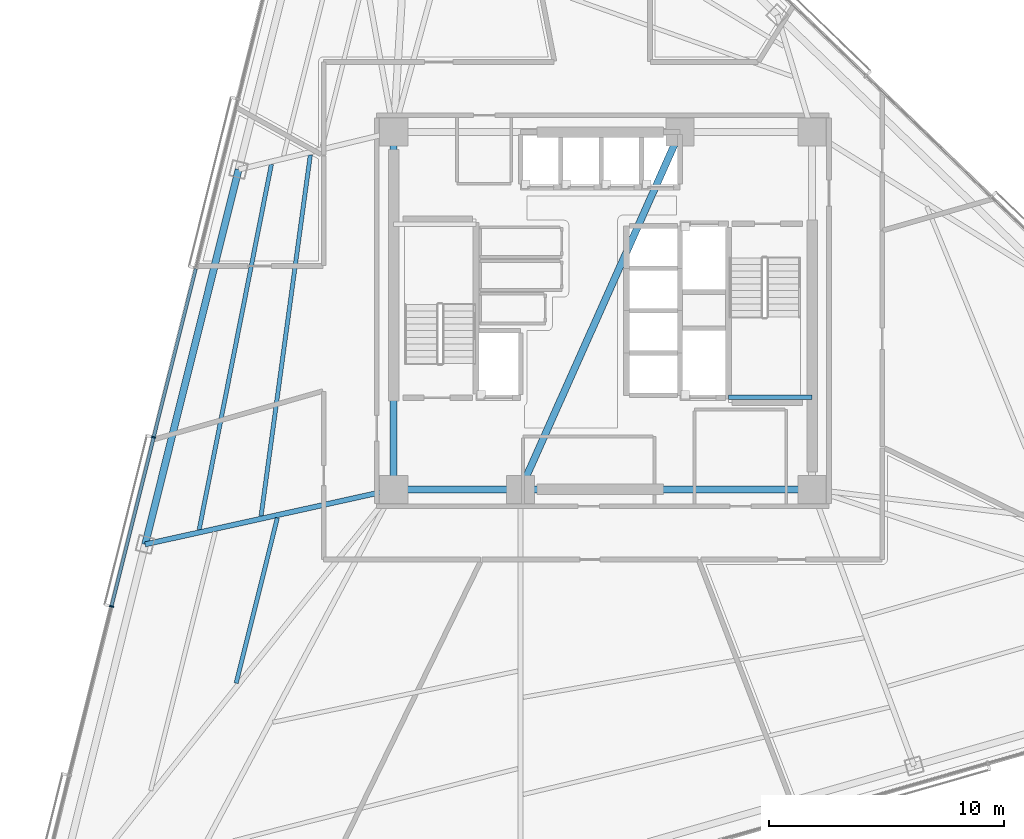
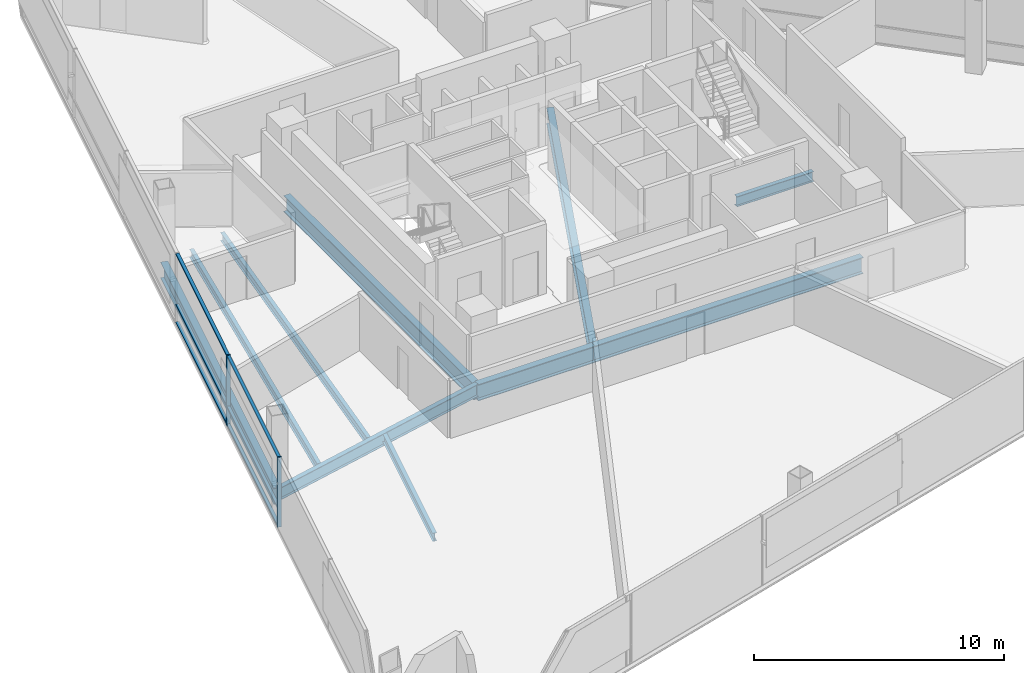
# One storey, part 4 of 17: 10 beams, 8 members, 1 element without a shape of its own.
"""IFC4 building model written with IfcOpenShell, lengths in metres."""

import ifcopenshell
import ifcopenshell.guid

model = None  # the IFC model being written
_history = None  # IfcOwnerHistory: only IFC2X3 demands one
_inside = {}  # id of a spatial element -> (the spatial element, [elements in it])
_under = {}  # id of a project, library or spatial element -> (it, [spatial elements below it])
_declared = {}  # id of a project -> (the project, [libraries it declares])
_typed = {}  # id of a type object -> (the type object, [elements of that type])
_made_of = {}  # id of a material, layer set ... -> (it, [elements and type objects made of it])


def new_model(schema):
    """Start an empty IFC model of exactly this schema.

    Asked for "IFC4X3", IfcOpenShell would pick the latest addendum, in which some entities
    have other attributes; the version numbers below select the first issue.
    IFC2X3 requires an IfcOwnerHistory on every rooted entity: one is made here for all.
    """
    global model, _history
    if schema == "IFC4X3":
        model = ifcopenshell.file(schema_version=(4, 3, 0, 0))
    else:
        model = ifcopenshell.file(schema=schema)
    _inside.clear()
    _under.clear()
    _declared.clear()
    _typed.clear()
    _made_of.clear()
    _history = None
    if model.schema == "IFC2X3":
        org = make("IfcOrganization", Name="unknown")
        user = make(
            "IfcPersonAndOrganization",
            ThePerson=make("IfcPerson", FamilyName="unknown"),
            TheOrganization=org,
        )
        app = make(
            "IfcApplication",
            ApplicationDeveloper=org,
            Version="unknown",
            ApplicationFullName="unknown",
            ApplicationIdentifier="unknown",
        )
        _history = make(
            "IfcOwnerHistory",
            OwningUser=user,
            OwningApplication=app,
            ChangeAction="ADDED",
            CreationDate=0,
        )
    return model


def make(cls, **values):
    """One entity of the class cls with the attributes given. An attribute that is None is left unset."""
    return model.create_entity(
        cls, **{name: value for name, value in values.items() if value is not None}
    )


def rooted(cls, **values):
    """An entity with a GlobalId (a new one), such as an element, a storey or a relation."""
    return make(cls, GlobalId=ifcopenshell.guid.new(), OwnerHistory=_history, **values)


def si_unit(unit_type, name, prefix=None):
    """IfcSIUnit, for example si_unit("LENGTHUNIT", "METRE", prefix="MILLI")."""
    return make("IfcSIUnit", UnitType=unit_type, Prefix=prefix, Name=name)


def assignment(units):
    """IfcUnitAssignment: the units of a project."""
    return None if units is None else make("IfcUnitAssignment", Units=units)


def point(xyz):
    """IfcCartesianPoint."""
    return None if xyz is None else make("IfcCartesianPoint", Coordinates=xyz)


def direction(xyz):
    """IfcDirection."""
    return None if xyz is None else make("IfcDirection", DirectionRatios=xyz)


def frame(location, z_axis=None, x_axis=None):
    """IfcAxis2Placement3D, a coordinate frame: its origin and axes. An axis left out is left unset."""
    return make(
        "IfcAxis2Placement3D",
        Location=point(location),
        Axis=direction(z_axis),
        RefDirection=direction(x_axis),
    )


def frame_2d(location, x_axis=None):
    """IfcAxis2Placement2D, a coordinate frame in the plane: its origin and x axis."""
    return make(
        "IfcAxis2Placement2D", Location=point(location), RefDirection=direction(x_axis)
    )


def origin():
    """The frame at (0, 0, 0) with its axes left unset."""
    return frame((0.0, 0.0, 0.0))


def origin_2d():
    """The frame at (0, 0) in the plane with its x axis left unset."""
    return frame_2d((0.0, 0.0))


def place(relative_to, where):
    """IfcLocalPlacement: puts the frame where relative to a parent placement (None: the world)."""
    return make(
        "IfcLocalPlacement", PlacementRelTo=relative_to, RelativePlacement=where
    )


def context(
    kind, dimensions, precision=None, world=None, true_north=None, identifier=None
):
    """IfcGeometricRepresentationContext, for example the 3D "Model" context."""
    return make(
        "IfcGeometricRepresentationContext",
        ContextIdentifier=identifier,
        ContextType=kind,
        CoordinateSpaceDimension=dimensions,
        Precision=precision,
        WorldCoordinateSystem=world,
        TrueNorth=true_north,
    )


def subcontext(parent, identifier, kind, view, scale=None):
    """IfcGeometricRepresentationSubContext, for example "Body" below "Model"."""
    return make(
        "IfcGeometricRepresentationSubContext",
        ContextIdentifier=identifier,
        ContextType=kind,
        ParentContext=parent,
        TargetScale=scale,
        TargetView=view,
    )


def project(units=None, contexts=None):
    """IfcProject with its units and contexts."""
    return rooted(
        "IfcProject",
        Name="project",
        RepresentationContexts=contexts,
        UnitsInContext=assignment(units),
    )


def spatial(cls, under=None, at=None, **own):
    """A site, building, storey or space (cls), placed at a placement, below another one or the project."""
    s = rooted(cls, ObjectPlacement=at, **own)
    if under is not None:
        _under.setdefault(under.id(), (under, []))[1].append(s)
    return s


def profile(cls, at=None, kind="AREA", **sizes):
    """A parametric profile (cls). Its sizes go by their IFC names, for example OverallWidth=200.0."""
    return make(cls, ProfileType=kind, Position=at, **sizes)


def rectangle(**sizes):
    """IfcRectangleProfileDef."""
    return profile("IfcRectangleProfileDef", **sizes)


def i_section(**sizes):
    """IfcIShapeProfileDef."""
    return profile("IfcIShapeProfileDef", **sizes)


def extrude(swept, where, along, depth):
    """IfcExtrudedAreaSolid: the profile swept, set in the frame where, extruded along a direction by depth."""
    return make(
        "IfcExtrudedAreaSolid",
        SweptArea=swept,
        Position=where,
        ExtrudedDirection=direction(along),
        Depth=depth,
    )


def shape(context_of_items, identifier, shape_type, items):
    """IfcShapeRepresentation: the items that make up one representation, for example the "Body"."""
    return make(
        "IfcShapeRepresentation",
        ContextOfItems=context_of_items,
        RepresentationIdentifier=identifier,
        RepresentationType=shape_type,
        Items=items,
    )


def material(Name=None, Category=None):
    """IfcMaterial."""
    return make("IfcMaterial", Name=Name, Category=Category)


def layer(
    of_material, thickness, ventilated=None, Name=None, Category=None, Priority=None
):
    """IfcMaterialLayer: one layer of a wall or slab, of a material (None: an air gap)."""
    return make(
        "IfcMaterialLayer",
        Material=of_material,
        LayerThickness=thickness,
        IsVentilated=ventilated,
        Name=Name,
        Category=Category,
        Priority=Priority,
    )


def layer_set(layers, Name=None):
    """IfcMaterialLayerSet."""
    return make("IfcMaterialLayerSet", MaterialLayers=layers, LayerSetName=Name)


def material_profile(
    of_material, cross_section, Name=None, Category=None, Priority=None
):
    """IfcMaterialProfile: a cross section and its material."""
    return make(
        "IfcMaterialProfile",
        Name=Name,
        Material=of_material,
        Profile=cross_section,
        Priority=Priority,
        Category=Category,
    )


def profile_set(profiles, Name=None, composite=None):
    """IfcMaterialProfileSet."""
    return make(
        "IfcMaterialProfileSet",
        Name=Name,
        MaterialProfiles=profiles,
        CompositeProfile=composite,
    )


def made_of(thing, what):
    """Note that an element or type object is made of a material, layer set ...; save() writes the relation."""
    if what is not None:
        _made_of.setdefault(what.id(), (what, []))[1].append(thing)
    return thing


def type_object(cls, material=None, **own):
    """A type object (cls), such as IfcWallType, which elements share."""
    return made_of(rooted(cls, **own), material)


def element(
    cls,
    number,
    at=None,
    inside=None,
    cuts=None,
    type_object=None,
    material=None,
    context=None,
    identifier="Body",
    shape_type=None,
    held_by="IfcProductDefinitionShape",
    body=None,
    shapes=None,
    **own,
):
    """One element of the class cls, such as IfcWall. Its Tag is "e" and its number.

    at: its placement. inside: the storey or other place that contains it. cuts: it is an
    opening in that element (IfcRelVoidsElement). A single representation is given by context,
    identifier, shape_type and body (its items); several are given by shapes. held_by: the class
    of the entity that holds the representations. save() writes the other relations.
    """
    e = rooted(cls, Tag="e%d" % number, ObjectPlacement=at, **own)
    if body is not None:
        shapes = [shape(context, identifier, shape_type, body)]
    if shapes is not None:
        e.Representation = make(held_by, Representations=shapes)
    if inside is not None:
        _inside.setdefault(inside.id(), (inside, []))[1].append(e)
    if cuts is not None:
        rooted(
            "IfcRelVoidsElement", RelatingBuildingElement=cuts, RelatedOpeningElement=e
        )
    if type_object is not None:
        _typed.setdefault(type_object.id(), (type_object, []))[1].append(e)
    return made_of(e, material)


def aggregate(whole, parts):
    """IfcRelAggregates: a whole, such as a stair, and the parts it consists of."""
    return rooted("IfcRelAggregates", RelatingObject=whole, RelatedObjects=parts)


def save(model, path):
    """Write the relations noted so far, then the file.

    IfcRelAggregates (storeys below a building ...), IfcRelContainedInSpatialStructure (elements
    in a storey), IfcRelDefinesByType, IfcRelAssociatesMaterial and IfcRelDeclares: one each for
    every whole, place, type object, material and project.
    """
    for whole, parts in _under.values():
        aggregate(whole, parts)
    for where, things in _inside.values():
        rooted(
            "IfcRelContainedInSpatialStructure",
            RelatedElements=things,
            RelatingStructure=where,
        )
    for kind, things in _typed.values():
        rooted("IfcRelDefinesByType", RelatedObjects=things, RelatingType=kind)
    for what, things in _made_of.values():
        rooted("IfcRelAssociatesMaterial", RelatedObjects=things, RelatingMaterial=what)
    for by, libraries in _declared.values():
        rooted("IfcRelDeclares", RelatingContext=by, RelatedDefinitions=libraries)
    model.write(path)


model = new_model("IFC4")

# Units and contexts
model_context = context("Model", 3, precision=1e-05, world=origin(), true_north=direction((0.0, 1.0)))
body_context = subcontext(model_context, "Body", "Model", "MODEL_VIEW")
ifc_project = project(units=[si_unit("LENGTHUNIT", "METRE"), si_unit("AREAUNIT", "SQUARE_METRE"), si_unit("VOLUMEUNIT", "CUBIC_METRE"), si_unit("PLANEANGLEUNIT", "RADIAN"), si_unit("MASSUNIT", "GRAM", prefix="KILO")], contexts=[model_context])

# Site, building, storey
site_placement = place(None, origin())
site = spatial("IfcSite", under=ifc_project, at=site_placement, CompositionType="ELEMENT")
building_placement = place(site_placement, origin())
building = spatial("IfcBuilding", under=site, at=building_placement, Name="Tharavind Bronze Gate", CompositionType="ELEMENT")
storey_placement = place(building_placement, frame((0.0, 0.0, 93.300048828125)))
storey = spatial("IfcBuildingStorey", under=building, at=storey_placement, Name="L23", CompositionType="ELEMENT", Elevation=93.300048828125)

# Curtain wall, members
ifc_material_1 = material(Name="Anodised Bronze Aluminium", Category="aluminium")
ifc_layer = layer(ifc_material_1, 0.219970703125)
ifc_layer_set = layer_set([ifc_layer], Name="Anodised Bronze Aluminium")
curtain_wall_type = type_object("IfcCurtainWallType", Name="UNITISED CURTAIN WALL LOWER OFFICE", PredefinedType="USERDEFINED", material=ifc_layer_set)
curtain_wall_placement = place(storey_placement, origin())
curtain_wall = element("IfcCurtainWall", 1, at=curtain_wall_placement, inside=storey, type_object=curtain_wall_type, Name="L23 unitised curtain wall lower office CW-L23-S1", ObjectType="UNITISED CURTAIN WALL", PredefinedType="USERDEFINED")
member_type_1 = type_object("IfcMemberType", Name="CURTAIN WALL BRONZE MULLION 65X180", PredefinedType="MULLION", material=ifc_material_1)
member_1_placement = place(storey_placement, frame((-19.1083984375, -5.381591796875, 0.0), z_axis=(0.0, 0.0, 1.0), x_axis=(-0.2419218956, -0.970295726276, 0.0)))
member_1 = element("IfcMember", 2, at=member_1_placement, type_object=member_type_1, Name="CW-L23-S1 mullion 5", PredefinedType="MULLION", context=body_context, shape_type="SweptSolid", body=[
    extrude(rectangle(XDim=0.06494140625, YDim=0.179931640625, at=origin_2d()), origin(), (0.0, 0.0, 1.0), 3.409912109375),
])
member_2_placement = place(storey_placement, frame((-20.902099609375, -12.57568359375, 0.0), z_axis=(0.0, 0.0, 1.0), x_axis=(-0.2419218956, -0.970295726276, 0.0)))
member_2 = element("IfcMember", 3, at=member_2_placement, type_object=member_type_1, Name="CW-L23-S1 mullion 6", PredefinedType="MULLION", context=body_context, shape_type="SweptSolid", body=[
    extrude(rectangle(XDim=0.06494140625, YDim=0.179931640625, at=origin_2d()), origin(), (0.0, 0.0, 1.0), 3.409912109375),
])
member_type_2 = type_object("IfcMemberType", Name="CURTAIN WALL BRONZE TRANSOM 65X140", PredefinedType="USERDEFINED", material=ifc_material_1)
member_3_placement = place(storey_placement, frame((-18.21142578125, -1.78466796875, 0.0), z_axis=(0.0, 0.0, 1.0), x_axis=(-0.2419218956, -0.970295726276, 0.0)))
member_3 = element("IfcMember", 4, at=member_3_placement, type_object=member_type_2, Name="CW-L23-S1 transom TB4", ObjectType="TRANSOM", PredefinedType="USERDEFINED", context=body_context, shape_type="SweptSolid", body=[
    extrude(rectangle(XDim=7.361083984375, YDim=0.139892578125, at=origin_2d()), origin(), (0.0, 0.0, 1.0), 0.06494140625),
])
member_4_placement = place(storey_placement, frame((-18.21142578125, -1.78466796875, 0.867431640625), z_axis=(0.0, 0.0, 1.0), x_axis=(-0.2419218956, -0.970295726276, 0.0)))
member_4 = element("IfcMember", 5, at=member_4_placement, type_object=member_type_2, Name="CW-L23-S1 transom TS4", ObjectType="TRANSOM", PredefinedType="USERDEFINED", context=body_context, shape_type="SweptSolid", body=[
    extrude(rectangle(XDim=7.361083984375, YDim=0.139892578125, at=origin_2d()), origin(), (0.0, 0.0, 1.0), 0.06494140625),
])
member_5_placement = place(storey_placement, frame((-18.21142578125, -1.78466796875, 3.344970703125), z_axis=(0.0, 0.0, 1.0), x_axis=(-0.2419218956, -0.970295726276, 0.0)))
member_5 = element("IfcMember", 6, at=member_5_placement, type_object=member_type_2, Name="CW-L23-S1 transom TT4", ObjectType="TRANSOM", PredefinedType="USERDEFINED", context=body_context, shape_type="SweptSolid", body=[
    extrude(rectangle(XDim=7.361083984375, YDim=0.139892578125, at=origin_2d()), origin(), (0.0, 0.0, 1.0), 0.06494140625),
])
member_6_placement = place(storey_placement, frame((-20.005126953125, -8.978759765625, 0.0), z_axis=(0.0, 0.0, 1.0), x_axis=(-0.2419218956, -0.970295726276, 0.0)))
member_6 = element("IfcMember", 7, at=member_6_placement, type_object=member_type_2, Name="CW-L23-S1 transom TB5", ObjectType="TRANSOM", PredefinedType="USERDEFINED", context=body_context, shape_type="SweptSolid", body=[
    extrude(rectangle(XDim=7.361083984375, YDim=0.139892578125, at=origin_2d()), origin(), (0.0, 0.0, 1.0), 0.06494140625),
])
member_7_placement = place(storey_placement, frame((-20.005126953125, -8.978759765625, 0.867431640625), z_axis=(0.0, 0.0, 1.0), x_axis=(-0.2419218956, -0.970295726276, 0.0)))
member_7 = element("IfcMember", 8, at=member_7_placement, type_object=member_type_2, Name="CW-L23-S1 transom TS5", ObjectType="TRANSOM", PredefinedType="USERDEFINED", context=body_context, shape_type="SweptSolid", body=[
    extrude(rectangle(XDim=7.361083984375, YDim=0.139892578125, at=origin_2d()), origin(), (0.0, 0.0, 1.0), 0.06494140625),
])
member_8_placement = place(storey_placement, frame((-20.005126953125, -8.978759765625, 3.344970703125), z_axis=(0.0, 0.0, 1.0), x_axis=(-0.2419218956, -0.970295726276, 0.0)))
member_8 = element("IfcMember", 9, at=member_8_placement, type_object=member_type_2, Name="CW-L23-S1 transom TT5", ObjectType="TRANSOM", PredefinedType="USERDEFINED", context=body_context, shape_type="SweptSolid", body=[
    extrude(rectangle(XDim=7.361083984375, YDim=0.139892578125, at=origin_2d()), origin(), (0.0, 0.0, 1.0), 0.06494140625),
])
aggregate(curtain_wall, [member_1, member_2, member_3, member_4, member_5, member_6, member_7, member_8])

# Beams
ifc_material_2 = material(Name="Steel S355", Category="steel")
ifc_material_profile_1 = material_profile(ifc_material_2, i_section(OverallWidth=0.199951171875, OverallDepth=0.5, WebThickness=0.01025390625, FlangeThickness=0.01611328125, at=origin_2d()), Name="IPE500")
ifc_profile_set_1 = profile_set([ifc_material_profile_1], Name="Steel S355")
beam_type_1 = type_object("IfcBeamType", Name="PRIMARY GIRDER IPE500", PredefinedType="USERDEFINED", material=ifc_profile_set_1)
beam_1_placement = place(storey_placement, frame((5.35009765625, -3.679931640625, 1.349853515625), z_axis=(1.0, 0.0, 0.0), x_axis=(0.0, 1.0, 0.0)))
element("IfcBeam", 10, at=beam_1_placement, inside=storey, type_object=beam_type_1, Name="L23 primary girder ipe500 BM-LD-ST2-L23-1", ObjectType="GIRDER", PredefinedType="USERDEFINED", context=body_context, shape_type="SweptSolid", body=[
    extrude(i_section(OverallWidth=0.199951171875, OverallDepth=0.5, WebThickness=0.01025390625, FlangeThickness=0.01611328125, at=origin_2d()), origin(), (0.0, 0.0, 1.0), 3.5498046875),
])
ifc_material_profile_2 = material_profile(ifc_material_2, i_section(OverallWidth=0.219970703125, OverallDepth=0.60009765625, WebThickness=0.011962890625, FlangeThickness=0.01904296875, at=origin_2d()), Name="IPE600")
ifc_profile_set_2 = profile_set([ifc_material_profile_2], Name="Steel S355")
beam_type_2 = type_object("IfcBeamType", Name="PRIMARY GIRDER IPE600", PredefinedType="USERDEFINED", material=ifc_profile_set_2)
beam_2_placement = place(storey_placement, frame((-19.4716796875, -9.93896484375, -0.489990234375), z_axis=(0.97639036101, 0.216013571162, 0.0), x_axis=(-0.216013571162, 0.97639036101, 0.0)))
element("IfcBeam", 11, at=beam_2_placement, inside=storey, type_object=beam_type_2, Name="L23 primary girder ipe600 BM-L23-RAD03", ObjectType="GIRDER", PredefinedType="USERDEFINED", context=body_context, shape_type="SweptSolid", body=[
    extrude(i_section(OverallWidth=0.219970703125, OverallDepth=0.60009765625, WebThickness=0.011962890625, FlangeThickness=0.01904296875, at=origin_2d()), origin(), (0.0, 0.0, 1.0), 10.827392578125),
])
ifc_material_profile_3 = material_profile(ifc_material_2, i_section(OverallWidth=0.300048828125, OverallDepth=0.800048828125, WebThickness=0.017578125, FlangeThickness=0.032958984375, at=origin_2d()), Name="HE800B")
ifc_profile_set_3 = profile_set([ifc_material_profile_3], Name="Steel S355")
beam_type_3 = type_object("IfcBeamType", Name="RING GIRDER HE800B", PredefinedType="USERDEFINED", material=ifc_profile_set_3)
beam_3_placement = place(storey_placement, frame((-8.89990234375, -7.60009765625, -0.590087890625), z_axis=(1.0, 0.0, 0.0), x_axis=(0.0, 1.0, 0.0)))
element("IfcBeam", 12, at=beam_3_placement, inside=storey, type_object=beam_type_3, Name="L23 ring girder he800b BM-L23-CR1", ObjectType="GIRDER", PredefinedType="USERDEFINED", context=body_context, shape_type="SweptSolid", body=[
    extrude(i_section(OverallWidth=0.300048828125, OverallDepth=0.800048828125, WebThickness=0.017578125, FlangeThickness=0.032958984375, at=origin_2d()), origin(), (0.0, 0.0, 1.0), 5.39990234375),
])
beam_4_placement = place(storey_placement, frame((-3.5, -7.60009765625, -0.590087890625), z_axis=(1.0, 0.0, 0.0), x_axis=(0.0, 1.0, 0.0)))
element("IfcBeam", 13, at=beam_4_placement, inside=storey, type_object=beam_type_3, Name="L23 ring girder he800b BM-L23-CR2", ObjectType="GIRDER", PredefinedType="USERDEFINED", context=body_context, shape_type="SweptSolid", body=[
    extrude(i_section(OverallWidth=0.300048828125, OverallDepth=0.800048828125, WebThickness=0.017578125, FlangeThickness=0.032958984375, at=origin_2d()), origin(), (0.0, 0.0, 1.0), 12.39990234375),
])
beam_5_placement = place(storey_placement, frame((-8.89990234375, 7.60009765625, -0.590087890625), z_axis=(0.0, -1.0, 0.0), x_axis=(1.0, 0.0, 0.0)))
element("IfcBeam", 14, at=beam_5_placement, inside=storey, type_object=beam_type_3, Name="L23 ring girder he800b BM-L23-CR6", ObjectType="GIRDER", PredefinedType="USERDEFINED", context=body_context, shape_type="SweptSolid", body=[
    extrude(i_section(OverallWidth=0.300048828125, OverallDepth=0.800048828125, WebThickness=0.017578125, FlangeThickness=0.032958984375, at=origin_2d()), origin(), (0.0, 0.0, 1.0), 15.2001953125),
])
beam_6_placement = place(storey_placement, frame((-3.5, -7.60009765625, -0.590087890625), z_axis=(0.407361644566, 0.913266932795, 0.0), x_axis=(-0.913266932795, 0.407361644566, 0.0)))
element("IfcBeam", 15, at=beam_6_placement, inside=storey, type_object=beam_type_3, Name="L23 ring girder he800b BM-L23-CR7", ObjectType="GIRDER", PredefinedType="USERDEFINED", context=body_context, shape_type="SweptSolid", body=[
    extrude(i_section(OverallWidth=0.300048828125, OverallDepth=0.800048828125, WebThickness=0.017578125, FlangeThickness=0.032958984375, at=origin_2d()), origin(), (0.0, 0.0, 1.0), 16.643798828125),
])
beam_7_placement = place(storey_placement, frame((-15.495849609375, 6.006591796875, -0.590087890625), z_axis=(-0.241930849107, -0.970293493872, 0.0), x_axis=(0.970293493872, -0.241930849107, 0.0)))
element("IfcBeam", 16, at=beam_7_placement, inside=storey, type_object=beam_type_3, Name="L23 ring girder he800b BM-L23-PRG02", ObjectType="GIRDER", PredefinedType="USERDEFINED", context=body_context, shape_type="SweptSolid", body=[
    extrude(i_section(OverallWidth=0.300048828125, OverallDepth=0.800048828125, WebThickness=0.017578125, FlangeThickness=0.032958984375, at=origin_2d()), origin(), (0.0, 0.0, 1.0), 16.433837890625),
])
ifc_material_profile_4 = material_profile(ifc_material_2, i_section(OverallWidth=0.179931640625, OverallDepth=0.39990234375, WebThickness=0.008544921875, FlangeThickness=0.013427734375, at=origin_2d()), Name="IPE400")
ifc_profile_set_4 = profile_set([ifc_material_profile_4], Name="Steel S355")
beam_type_4 = type_object("IfcBeamType", Name="SECONDARY FLOOR JOIST IPE400", PredefinedType="JOIST", material=ifc_profile_set_4)
beam_8_placement = place(storey_placement, frame((-12.4453125, 6.626708984375, -0.39013671875), z_axis=(-0.135096335488, -0.99083246825, 0.0), x_axis=(0.99083246825, -0.135096335488, 0.0)))
element("IfcBeam", 17, at=beam_8_placement, inside=storey, type_object=beam_type_4, Name="L23 secondary floor joist ipe400 BM-L23-JSTA02", PredefinedType="JOIST", context=body_context, shape_type="SweptSolid", body=[
    extrude(i_section(OverallWidth=0.179931640625, OverallDepth=0.39990234375, WebThickness=0.008544921875, FlangeThickness=0.013427734375, at=origin_2d()), origin(), (0.0, 0.0, 1.0), 15.5),
])
beam_9_placement = place(storey_placement, frame((-14.10205078125, 6.2265625, -0.39013671875), z_axis=(-0.193949205751, -0.981011572607, 0.0), x_axis=(0.981011572607, -0.193949205751, 0.0)))
element("IfcBeam", 18, at=beam_9_placement, inside=storey, type_object=beam_type_4, Name="L23 secondary floor joist ipe400 BM-L23-JSTB02", PredefinedType="JOIST", context=body_context, shape_type="SweptSolid", body=[
    extrude(i_section(OverallWidth=0.179931640625, OverallDepth=0.39990234375, WebThickness=0.008544921875, FlangeThickness=0.013427734375, at=origin_2d()), origin(), (0.0, 0.0, 1.0), 15.841796875),
])
beam_10_placement = place(storey_placement, frame((-13.846435546875, -8.810791015625, -0.39013671875), z_axis=(-0.241933025088, -0.970292951315, 0.0), x_axis=(0.970292951315, -0.241933025088, 0.0)))
element("IfcBeam", 19, at=beam_10_placement, inside=storey, type_object=beam_type_4, Name="L23 secondary floor joist ipe400 BM-L23-JSTA03", PredefinedType="JOIST", context=body_context, shape_type="SweptSolid", body=[
    extrude(i_section(OverallWidth=0.179931640625, OverallDepth=0.39990234375, WebThickness=0.008544921875, FlangeThickness=0.013427734375, at=origin_2d()), origin(), (0.0, 0.0, 1.0), 7.24560546875),
])

save(model, "model.ifc")
